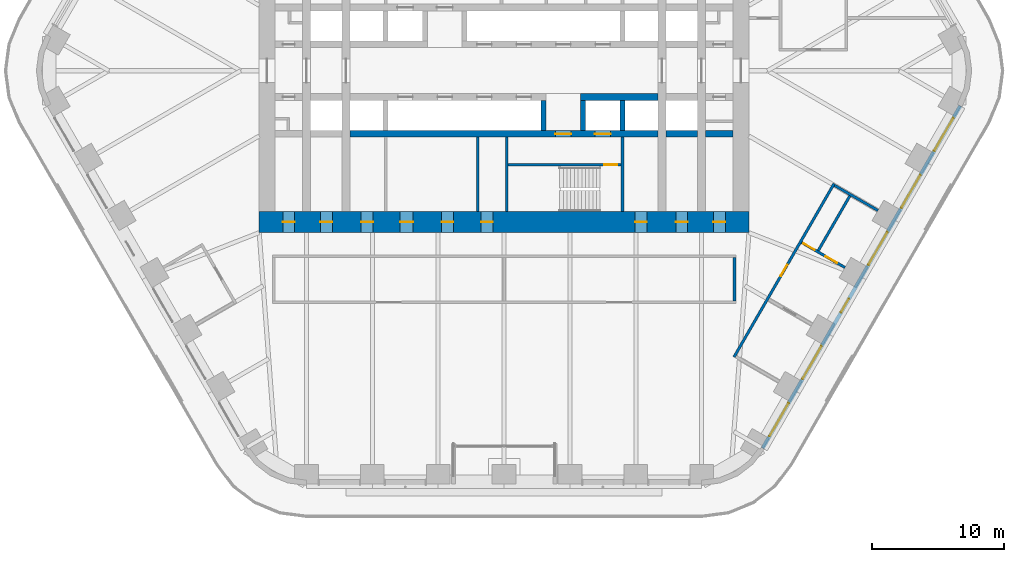
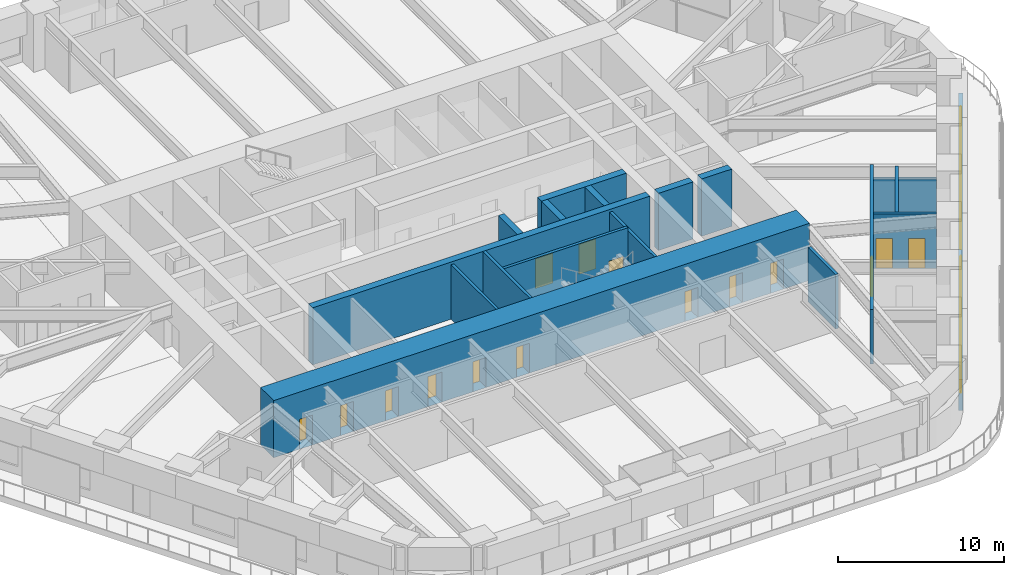
# One storey, part 18 of 24: 18 walls, 16 doors, 5 windows, 21 openings.
"""IFC4 building model written with IfcOpenShell, lengths in metres."""

from ifc_helpers import new_model, si_unit, direction, frame, frame_2d, origin, place, context, subcontext, project, spatial, rectangle, extrude, material, layer, layer_set, type_object, element, fill, save


model = new_model("IFC4")

# Units and contexts
model_context = context("Model", 3, precision=1e-05, world=origin(), true_north=direction((0.0, 1.0)))
body_context = subcontext(model_context, "Body", "Model", "MODEL_VIEW")
ifc_project = project(units=[si_unit("LENGTHUNIT", "METRE"), si_unit("AREAUNIT", "SQUARE_METRE"), si_unit("VOLUMEUNIT", "CUBIC_METRE"), si_unit("PLANEANGLEUNIT", "RADIAN"), si_unit("MASSUNIT", "GRAM", prefix="KILO")], contexts=[model_context])

# Site, building, storey
site_placement = place(None, origin())
site = spatial("IfcSite", under=ifc_project, at=site_placement, CompositionType="ELEMENT")
building_placement = place(site_placement, origin())
building = spatial("IfcBuilding", under=site, at=building_placement, Name="Tarfa Lantern Tower", CompositionType="ELEMENT")
storey_placement = place(building_placement, frame((0.0, 0.0, 123.699951171875)))
storey = spatial("IfcBuildingStorey", under=building, at=storey_placement, Name="L27", CompositionType="ELEMENT", Elevation=123.699951171875)

# Wall, openings, door, windows
ifc_material_1 = material(Name="Limestone cladding on blockwork", Category="masonry")
ifc_layer_1 = layer(ifc_material_1, 0.300048828125)
ifc_layer_set_1 = layer_set([ifc_layer_1], Name="EW1 STONE-CLAD WALL 300")
wall_type_1 = type_object("IfcWallType", Name="EW1 STONE-CLAD WALL 300", PredefinedType="SOLIDWALL", material=ifc_layer_set_1)
wall_1_placement = place(storey_placement, frame((19.644287109375, -28.675048828125, 0.0), z_axis=(0.0, 0.0, 1.0), x_axis=(0.500003084452, 0.866023622968, 0.0)))
wall_1 = element("IfcWall", 1, at=wall_1_placement, inside=storey, type_object=wall_type_1, Name="Stone wall SE", PredefinedType="SOLIDWALL", context=body_context, shape_type="SweptSolid", body=[
    extrude(rectangle(XDim=30.022216796875, YDim=0.300048828125, at=frame_2d((15.01123046875, 0.0))), origin(), (0.0, 0.0, 1.0), 2.300048828125),
])
opening_1_placement = place(wall_1_placement, frame((1.0517578125, 0.0, 0.60009765625)))
opening_1 = element("IfcOpeningElement", 2, at=opening_1_placement, cuts=wall_1, Name="Opening W8", PredefinedType="OPENING", context=body_context, shape_type="SweptSolid", body=[
    extrude(rectangle(XDim=2.89990234375, YDim=1.449951171875, at=frame_2d((1.449951171875, 0.72509765625))), frame((0.0, 0.159912109375, 0.0), z_axis=(0.0, -1.0, 0.0), x_axis=(1.0, 0.0, 0.0)), (0.0, 0.0, 1.0), 0.320068359375),
])
opening_2_placement = place(wall_1_placement, frame((6.0556640625, 0.0, 0.60009765625)))
opening_2 = element("IfcOpeningElement", 3, at=opening_2_placement, cuts=wall_1, Name="Opening W8", PredefinedType="OPENING", context=body_context, shape_type="SweptSolid", body=[
    extrude(rectangle(XDim=2.89990234375, YDim=1.449951171875, at=frame_2d((1.449951171875, 0.72509765625))), frame((0.0, 0.159912109375, 0.0), z_axis=(0.0, -1.0, 0.0), x_axis=(1.0, 0.0, 0.0)), (0.0, 0.0, 1.0), 0.320068359375),
])
opening_3_placement = place(wall_1_placement, frame((11.9091796875, 0.0, 0.0)))
opening_3 = element("IfcOpeningElement", 4, at=opening_3_placement, cuts=wall_1, Name="Opening D49", PredefinedType="OPENING", context=body_context, shape_type="SweptSolid", body=[
    extrude(rectangle(XDim=1.199951171875, YDim=2.199951171875, at=frame_2d((0.60009765625, 1.10009765625))), frame((0.0, 0.159912109375, 0.0), z_axis=(0.0, -1.0, 0.0), x_axis=(1.0, 0.0, 0.0)), (0.0, 0.0, 1.0), 0.320068359375),
])
opening_4_placement = place(wall_1_placement, frame((16.06298828125, 0.0, 0.60009765625)))
opening_4 = element("IfcOpeningElement", 5, at=opening_4_placement, cuts=wall_1, Name="Opening W8", PredefinedType="OPENING", context=body_context, shape_type="SweptSolid", body=[
    extrude(rectangle(XDim=2.89990234375, YDim=1.449951171875, at=frame_2d((1.449951171875, 0.72509765625))), frame((0.0, 0.159912109375, 0.0), z_axis=(0.0, -1.0, 0.0), x_axis=(1.0, 0.0, 0.0)), (0.0, 0.0, 1.0), 0.320068359375),
])
opening_5_placement = place(wall_1_placement, frame((21.066650390625, 0.0, 0.60009765625)))
opening_5 = element("IfcOpeningElement", 6, at=opening_5_placement, cuts=wall_1, Name="Opening W8", PredefinedType="OPENING", context=body_context, shape_type="SweptSolid", body=[
    extrude(rectangle(XDim=2.89990234375, YDim=1.449951171875, at=frame_2d((1.449951171875, 0.72509765625))), frame((0.0, 0.159912109375, 0.0), z_axis=(0.0, -1.0, 0.0), x_axis=(1.0, 0.0, 0.0)), (0.0, 0.0, 1.0), 0.320068359375),
])
opening_6_placement = place(wall_1_placement, frame((26.0703125, 0.0, 0.60009765625)))
opening_6 = element("IfcOpeningElement", 7, at=opening_6_placement, cuts=wall_1, Name="Opening W8", PredefinedType="OPENING", context=body_context, shape_type="SweptSolid", body=[
    extrude(rectangle(XDim=2.89990234375, YDim=1.449951171875, at=frame_2d((1.449951171875, 0.72509765625))), frame((0.0, 0.159912109375, 0.0), z_axis=(0.0, -1.0, 0.0), x_axis=(1.0, 0.0, 0.0)), (0.0, 0.0, 1.0), 0.320068359375),
])
ifc_material_2 = material(Name="Aluminium framed glazed door", Category="aluminium")
door_type_1 = type_object("IfcDoorType", Name="BE5 BALCONY DOOR 1200x2200", OperationType="SINGLE_SWING_RIGHT", PredefinedType="DOOR", material=ifc_material_2)
door_1_placement = place(opening_3_placement, origin())
door_1 = element("IfcDoor", 8, at=door_1_placement, inside=storey, type_object=door_type_1, Name="Balcony door SE", OperationType="SINGLE_SWING_RIGHT", OverallHeight=2.199951171875, OverallWidth=1.199951171875, PredefinedType="DOOR", context=body_context, shape_type="SweptSolid", body=[
    extrude(rectangle(XDim=1.199951171875, YDim=2.199951171875, at=frame_2d((0.60009765625, 1.10009765625))), frame((0.0, 0.02490234375, 0.0), z_axis=(0.0, -1.0, 0.0), x_axis=(1.0, 0.0, 0.0)), (0.0, 0.0, 1.0), 0.050048828125),
])
fill(opening_3, door_1)
ifc_material_3 = material(Name="Aluminium frame, double glazed", Category="aluminium")
window_type = type_object("IfcWindowType", Name="W8 FULL-HEIGHT GLAZING 2900x1450", PartitioningType="SINGLE_PANEL", PredefinedType="WINDOW", material=ifc_material_3)
window_1_placement = place(opening_1_placement, origin())
window_1 = element("IfcWindow", 9, at=window_1_placement, inside=storey, type_object=window_type, Name="Window SE 1", OverallHeight=1.449951171875, OverallWidth=2.89990234375, PartitioningType="SINGLE_PANEL", PredefinedType="WINDOW", context=body_context, shape_type="SweptSolid", body=[
    extrude(rectangle(XDim=2.89990234375, YDim=1.449951171875, at=frame_2d((1.449951171875, 0.72509765625))), frame((0.0, 0.030029296875, 0.0), z_axis=(0.0, -1.0, 0.0), x_axis=(1.0, 0.0, 0.0)), (0.0, 0.0, 1.0), 0.06005859375),
])
fill(opening_1, window_1)
window_2_placement = place(opening_2_placement, origin())
window_2 = element("IfcWindow", 10, at=window_2_placement, inside=storey, type_object=window_type, Name="Window SE 2", OverallHeight=1.449951171875, OverallWidth=2.89990234375, PartitioningType="SINGLE_PANEL", PredefinedType="WINDOW", context=body_context, shape_type="SweptSolid", body=[
    extrude(rectangle(XDim=2.89990234375, YDim=1.449951171875, at=frame_2d((1.449951171875, 0.72509765625))), frame((0.0, 0.030029296875, 0.0), z_axis=(0.0, -1.0, 0.0), x_axis=(1.0, 0.0, 0.0)), (0.0, 0.0, 1.0), 0.06005859375),
])
fill(opening_2, window_2)
window_3_placement = place(opening_4_placement, origin())
window_3 = element("IfcWindow", 11, at=window_3_placement, inside=storey, type_object=window_type, Name="Window SE 4", OverallHeight=1.449951171875, OverallWidth=2.89990234375, PartitioningType="SINGLE_PANEL", PredefinedType="WINDOW", context=body_context, shape_type="SweptSolid", body=[
    extrude(rectangle(XDim=2.89990234375, YDim=1.449951171875, at=frame_2d((1.449951171875, 0.72509765625))), frame((0.0, 0.030029296875, 0.0), z_axis=(0.0, -1.0, 0.0), x_axis=(1.0, 0.0, 0.0)), (0.0, 0.0, 1.0), 0.06005859375),
])
fill(opening_4, window_3)
window_4_placement = place(opening_5_placement, origin())
window_4 = element("IfcWindow", 12, at=window_4_placement, inside=storey, type_object=window_type, Name="Window SE 5", OverallHeight=1.449951171875, OverallWidth=2.89990234375, PartitioningType="SINGLE_PANEL", PredefinedType="WINDOW", context=body_context, shape_type="SweptSolid", body=[
    extrude(rectangle(XDim=2.89990234375, YDim=1.449951171875, at=frame_2d((1.449951171875, 0.72509765625))), frame((0.0, 0.030029296875, 0.0), z_axis=(0.0, -1.0, 0.0), x_axis=(1.0, 0.0, 0.0)), (0.0, 0.0, 1.0), 0.06005859375),
])
fill(opening_5, window_4)
window_5_placement = place(opening_6_placement, origin())
window_5 = element("IfcWindow", 13, at=window_5_placement, inside=storey, type_object=window_type, Name="Window SE 6", OverallHeight=1.449951171875, OverallWidth=2.89990234375, PartitioningType="SINGLE_PANEL", PredefinedType="WINDOW", context=body_context, shape_type="SweptSolid", body=[
    extrude(rectangle(XDim=2.89990234375, YDim=1.449951171875, at=frame_2d((1.449951171875, 0.72509765625))), frame((0.0, 0.030029296875, 0.0), z_axis=(0.0, -1.0, 0.0), x_axis=(1.0, 0.0, 0.0)), (0.0, 0.0, 1.0), 0.06005859375),
])
fill(opening_6, window_5)

# Walls
ifc_material_4 = material(Name="Concrete blockwork", Category="masonry")
ifc_layer_2 = layer(ifc_material_4, 0.199951171875)
ifc_layer_set_2 = layer_set([ifc_layer_2], Name="IW1 BLOCKWORK PARTITION 200 EI 120")
wall_type_2 = type_object("IfcWallType", Name="IW1 BLOCKWORK PARTITION 200 EI 120", PredefinedType="PARTITIONING", material=ifc_layer_set_2)
for number, where, z_axis, x_axis, name in (
    (14, (9.0, -5.050048828125, 0.0), (0.0, 0.0, 1.0), (0.0, -1.0, 0.0), "Core partition"),
    (15, (-2.0, -5.050048828125, 0.0), (0.0, 0.0, 1.0), (0.0, -1.0, 0.0), "Core partition"),
):
    element("IfcWall", number, at=place(storey_placement, frame(where, z_axis=z_axis, x_axis=x_axis)), inside=storey, type_object=wall_type_2, Name=name, PredefinedType="PARTITIONING", context=body_context, shape_type="SweptSolid", body=[
        extrude(rectangle(XDim=5.64990234375, YDim=0.199951171875, at=frame_2d((2.824951171875, 0.0))), origin(), (0.0, 0.0, 1.0), 4.0),
    ])
ifc_material_5 = material(Name="Gypsum board on steel studs", Category="steel")
ifc_layer_3 = layer(ifc_material_5, 0.2099609375)
ifc_layer_set_3 = layer_set([ifc_layer_3], Name="IW2 ACOUSTIC PARTITION 200")
wall_type_3 = type_object("IfcWallType", Name="IW2 ACOUSTIC PARTITION 200", PredefinedType="PARTITIONING", material=ifc_layer_set_3)
wall_2_placement = place(storey_placement, frame((17.5, -14.199951171875, 0.0), z_axis=(0.0, 0.0, 1.0), x_axis=(0.0, -1.0, 0.0)))
element("IfcWall", 16, at=wall_2_placement, inside=storey, type_object=wall_type_3, Name="Partition", PredefinedType="PARTITIONING", context=body_context, shape_type="SweptSolid", body=[
    extrude(rectangle(XDim=3.300048828125, YDim=0.199951171875, at=frame_2d((1.64990234375, 0.0))), origin(), (0.0, 0.0, 1.0), 4.0),
])

# Wall, opening, door
wall_3_placement = place(storey_placement, frame((17.462890625, -21.753173828125, 0.0), z_axis=(0.0, 0.0, 1.0), x_axis=(0.500010972563, 0.86601906868, 0.0)))
wall_3 = element("IfcWall", 17, at=wall_3_placement, inside=storey, type_object=wall_type_3, Name="Partition", PredefinedType="PARTITIONING", context=body_context, shape_type="SweptSolid", body=[
    extrude(rectangle(XDim=15.211181640625, YDim=0.199951171875, at=frame_2d((7.60546875, 0.0))), origin(), (0.0, 0.0, 1.0), 4.0),
])
opening_7_placement = place(wall_3_placement, frame((7.10546875, 0.0, 0.0)))
opening_7 = element("IfcOpeningElement", 18, at=opening_7_placement, cuts=wall_3, Name="Opening D38", PredefinedType="OPENING", context=body_context, shape_type="SweptSolid", body=[
    extrude(rectangle(XDim=1.0, YDim=2.199951171875, at=frame_2d((0.5, 1.10009765625))), frame((0.0, 0.10986328125, 0.0), z_axis=(0.0, -1.0, 0.0), x_axis=(1.0, 0.0, 0.0)), (0.0, 0.0, 1.0), 0.219970703125),
])
ifc_material_6 = material(Name="Timber door", Category="wood")
door_type_2 = type_object("IfcDoorType", Name="DR1 ROOM DOOR 1000x2200", OperationType="SINGLE_SWING_LEFT", PredefinedType="DOOR", material=ifc_material_6)
door_2_placement = place(opening_7_placement, frame((1.0, 0.0, 0.0), z_axis=(0.0, 0.0, 1.0), x_axis=(-1.0, 0.0, 0.0)))
door_2 = element("IfcDoor", 19, at=door_2_placement, inside=storey, type_object=door_type_2, Name="Finance reception door", OperationType="SINGLE_SWING_LEFT", OverallHeight=2.199951171875, OverallWidth=1.0, PredefinedType="DOOR", context=body_context, shape_type="SweptSolid", body=[
    extrude(rectangle(XDim=1.0, YDim=2.199951171875, at=frame_2d((0.5, 1.10009765625))), frame((0.0, 0.02490234375, 0.0), z_axis=(0.0, -1.0, 0.0), x_axis=(1.0, 0.0, 0.0)), (0.0, 0.0, 1.0), 0.050048828125),
])
fill(opening_7, door_2)

# Wall, openings, doors
wall_4_placement = place(storey_placement, frame((22.603271484375, -13.050048828125, 0.0), z_axis=(0.0, 0.0, 1.0), x_axis=(0.866028304915, -0.499994975061, 0.0)))
wall_4 = element("IfcWall", 20, at=wall_4_placement, inside=storey, type_object=wall_type_3, Name="Partition", PredefinedType="PARTITIONING", context=body_context, shape_type="SweptSolid", body=[
    extrude(rectangle(XDim=3.7998046875, YDim=0.199951171875, at=frame_2d((1.89990234375, 0.0))), origin(), (0.0, 0.0, 1.0), 4.0),
])
opening_8_placement = place(wall_4_placement, frame((0.14990234375, 0.0, 0.0)))
opening_8 = element("IfcOpeningElement", 21, at=opening_8_placement, cuts=wall_4, Name="Opening D39", PredefinedType="OPENING", context=body_context, shape_type="SweptSolid", body=[
    extrude(rectangle(XDim=1.0, YDim=2.199951171875, at=frame_2d((0.5, 1.10009765625))), frame((0.0, 0.10986328125, 0.0), z_axis=(0.0, -1.0, 0.0), x_axis=(1.0, 0.0, 0.0)), (0.0, 0.0, 1.0), 0.219970703125),
])
opening_9_placement = place(wall_4_placement, frame((2.10009765625, 0.0, 0.0)))
opening_9 = element("IfcOpeningElement", 22, at=opening_9_placement, cuts=wall_4, Name="Opening D40", PredefinedType="OPENING", context=body_context, shape_type="SweptSolid", body=[
    extrude(rectangle(XDim=1.0, YDim=2.199951171875, at=frame_2d((0.5, 1.10009765625))), frame((0.0, 0.10986328125, 0.0), z_axis=(0.0, -1.0, 0.0), x_axis=(1.0, 0.0, 0.0)), (0.0, 0.0, 1.0), 0.219970703125),
])
door_3_placement = place(opening_8_placement, origin())
door_3 = element("IfcDoor", 23, at=door_3_placement, inside=storey, type_object=door_type_2, Name="Finance meeting room door", OperationType="SINGLE_SWING_RIGHT", OverallHeight=2.199951171875, OverallWidth=1.0, PredefinedType="DOOR", context=body_context, shape_type="SweptSolid", body=[
    extrude(rectangle(XDim=1.0, YDim=2.199951171875, at=frame_2d((0.5, 1.10009765625))), frame((0.0, 0.02490234375, 0.0), z_axis=(0.0, -1.0, 0.0), x_axis=(1.0, 0.0, 0.0)), (0.0, 0.0, 1.0), 0.050048828125),
])
fill(opening_8, door_3)
door_4_placement = place(opening_9_placement, origin())
door_4 = element("IfcDoor", 24, at=door_4_placement, inside=storey, type_object=door_type_2, Name="Finance office door", OperationType="SINGLE_SWING_RIGHT", OverallHeight=2.199951171875, OverallWidth=1.0, PredefinedType="DOOR", context=body_context, shape_type="SweptSolid", body=[
    extrude(rectangle(XDim=1.0, YDim=2.199951171875, at=frame_2d((0.5, 1.10009765625))), frame((0.0, 0.02490234375, 0.0), z_axis=(0.0, -1.0, 0.0), x_axis=(1.0, 0.0, 0.0)), (0.0, 0.0, 1.0), 0.050048828125),
])
fill(opening_9, door_4)

# Walls
wall_5_placement = place(storey_placement, frame((25.105224609375, -8.716552734375, 0.0), z_axis=(0.0, 0.0, 1.0), x_axis=(0.866000483506, -0.500043160704, 0.0)))
element("IfcWall", 25, at=wall_5_placement, inside=storey, type_object=wall_type_3, Name="Partition", PredefinedType="PARTITIONING", context=body_context, shape_type="SweptSolid", body=[
    extrude(rectangle(XDim=3.800048828125, YDim=0.199951171875, at=frame_2d((1.89990234375, 0.0))), origin(), (0.0, 0.0, 1.0), 3.08154296875),
])
wall_6_placement = place(storey_placement, frame((23.86572265625, -13.663330078125, 0.0), z_axis=(0.0, 0.0, 1.0), x_axis=(0.499998147991, 0.86602647304, 0.0)))
element("IfcWall", 26, at=wall_6_placement, inside=storey, type_object=wall_type_3, Name="Partition", PredefinedType="PARTITIONING", context=body_context, shape_type="SweptSolid", body=[
    extrude(rectangle(XDim=4.8037109375, YDim=0.199951171875, at=frame_2d((2.40185546875, 0.0))), origin(), (0.0, 0.0, 1.0), 4.0),
])
ifc_material_7 = material(Name="Concrete C80/95", Category="concrete")
ifc_layer_4 = layer(ifc_material_7, 0.199951171875)
ifc_layer_set_4 = layer_set([ifc_layer_4], Name="SW12 CORE WALL 200")
wall_type_4 = type_object("IfcWallType", Name="SW12 CORE WALL 200", PredefinedType="SHEAR", material=ifc_layer_set_4)
wall_7_placement = place(storey_placement, frame((0.199951171875, -5.050048828125, 0.0), z_axis=(0.0, 0.0, 1.0), x_axis=(0.0, -1.0, 0.0)))
element("IfcWall", 27, at=wall_7_placement, inside=storey, type_object=wall_type_4, Name="Core wall stair shaft S", PredefinedType="SHEAR", context=body_context, shape_type="SweptSolid", body=[
    extrude(rectangle(XDim=5.64990234375, YDim=0.199951171875, at=frame_2d((2.824951171875, 0.0))), origin(), (0.0, 0.0, 1.0), 4.199951171875),
])

# Wall, opening, door
wall_8_placement = place(storey_placement, frame((8.89990234375, -7.14990234375, 0.0), z_axis=(0.0, 0.0, 1.0), x_axis=(-1.0, 0.0, 0.0)))
wall_8 = element("IfcWall", 28, at=wall_8_placement, inside=storey, type_object=wall_type_4, Name="Core wall stair partition S", PredefinedType="SHEAR", context=body_context, shape_type="SweptSolid", body=[
    extrude(rectangle(XDim=8.599853515625, YDim=0.199951171875, at=frame_2d((4.2998046875, 0.0))), origin(), (0.0, 0.0, 1.0), 4.199951171875),
])
opening_10_placement = place(wall_8_placement, frame((0.300048828125, 0.0, 0.0)))
opening_10 = element("IfcOpeningElement", 29, at=opening_10_placement, cuts=wall_8, Name="Opening D28", PredefinedType="OPENING", context=body_context, shape_type="SweptSolid", body=[
    extrude(rectangle(XDim=1.0, YDim=2.199951171875, at=frame_2d((0.5, 1.10009765625))), frame((0.0, 0.10986328125, 0.0), z_axis=(0.0, -1.0, 0.0), x_axis=(1.0, 0.0, 0.0)), (0.0, 0.0, 1.0), 0.219970703125),
])
ifc_material_8 = material(Name="Steel fire door", Category="steel")
door_type_3 = type_object("IfcDoorType", Name="DF2 STAIR DOOR 1000x2200", OperationType="SINGLE_SWING_LEFT", PredefinedType="DOOR", material=ifc_material_8)
door_5_placement = place(opening_10_placement, origin())
door_5 = element("IfcDoor", 30, at=door_5_placement, inside=storey, type_object=door_type_3, Name="Stair door", OperationType="SINGLE_SWING_RIGHT", OverallHeight=2.199951171875, OverallWidth=1.0, PredefinedType="DOOR", context=body_context, shape_type="SweptSolid", body=[
    extrude(rectangle(XDim=1.0, YDim=2.199951171875, at=frame_2d((0.5, 1.10009765625))), frame((0.0, 0.02490234375, 0.0), z_axis=(0.0, -1.0, 0.0), x_axis=(1.0, 0.0, 0.0)), (0.0, 0.0, 1.0), 0.050048828125),
])
fill(opening_10, door_5)

# Walls
ifc_layer_5 = layer(ifc_material_7, 0.5)
ifc_layer_set_5 = layer_set([ifc_layer_5], Name="SW5 CORE WALL 500")
wall_type_5 = type_object("IfcWallType", Name="SW5 CORE WALL 500", PredefinedType="SHEAR", material=ifc_layer_set_5)
wall_9_placement = place(storey_placement, frame((11.699951171875, -2.0, 0.0), z_axis=(0.0, 0.0, 1.0), x_axis=(-1.0, 0.0, 0.0)))
element("IfcWall", 31, at=wall_9_placement, inside=storey, type_object=wall_type_5, Name="Core wall lobby west S", PredefinedType="SHEAR", context=body_context, shape_type="SweptSolid", body=[
    extrude(rectangle(XDim=5.89990234375, YDim=0.5, at=frame_2d((2.949951171875, 0.0))), origin(), (0.0, 0.0, 1.0), 4.199951171875),
])
wall_10_placement = place(storey_placement, frame((17.39990234375, -4.800048828125, 0.0), z_axis=(0.0, 0.0, 1.0), x_axis=(-1.0, 0.0, 0.0)))
element("IfcWall", 32, at=wall_10_placement, inside=storey, type_object=wall_type_5, Name="Core wall rear S", PredefinedType="SHEAR", context=body_context, shape_type="SweptSolid", body=[
    extrude(rectangle(XDim=2.099853515625, YDim=0.5, at=frame_2d((1.0498046875, 0.0))), origin(), (0.0, 0.0, 1.0), 4.199951171875),
])
wall_11_placement = place(storey_placement, frame((14.699951171875, -4.800048828125, 0.0), z_axis=(0.0, 0.0, 1.0), x_axis=(-1.0, 0.0, 0.0)))
element("IfcWall", 33, at=wall_11_placement, inside=storey, type_object=wall_type_5, Name="Core wall rear S", PredefinedType="SHEAR", context=body_context, shape_type="SweptSolid", body=[
    extrude(rectangle(XDim=2.39990234375, YDim=0.5, at=frame_2d((1.199951171875, 0.0))), origin(), (0.0, 0.0, 1.0), 4.199951171875),
])

# Wall, openings, doors
wall_12_placement = place(storey_placement, frame((11.699951171875, -4.800048828125, 0.0), z_axis=(0.0, 0.0, 1.0), x_axis=(-1.0, 0.0, 0.0)))
wall_12 = element("IfcWall", 34, at=wall_12_placement, inside=storey, type_object=wall_type_5, Name="Core wall rear S", PredefinedType="SHEAR", context=body_context, shape_type="SweptSolid", body=[
    extrude(rectangle(XDim=23.39990234375, YDim=0.5, at=frame_2d((11.699951171875, 0.0))), origin(), (0.0, 0.0, 1.0), 4.199951171875),
])
opening_11_placement = place(wall_12_placement, frame((6.60009765625, 0.0, 0.0)))
opening_11 = element("IfcOpeningElement", 35, at=opening_11_placement, cuts=wall_12, Name="Opening D14", PredefinedType="OPENING", context=body_context, shape_type="SweptSolid", body=[
    extrude(rectangle(XDim=1.199951171875, YDim=2.199951171875, at=frame_2d((0.60009765625, 1.10009765625))), frame((0.0, 0.260009765625, 0.0), z_axis=(0.0, -1.0, 0.0), x_axis=(1.0, 0.0, 0.0)), (0.0, 0.0, 1.0), 0.52001953125),
])
opening_12_placement = place(wall_12_placement, frame((3.60009765625, 0.0, 0.0)))
opening_12 = element("IfcOpeningElement", 36, at=opening_12_placement, cuts=wall_12, Name="Opening LD02", PredefinedType="OPENING", context=body_context, shape_type="SweptSolid", body=[
    extrude(rectangle(XDim=1.199951171875, YDim=2.199951171875, at=frame_2d((0.60009765625, 1.10009765625))), frame((0.0, 0.260009765625, 0.0), z_axis=(0.0, -1.0, 0.0), x_axis=(1.0, 0.0, 0.0)), (0.0, 0.0, 1.0), 0.52001953125),
])
door_type_4 = type_object("IfcDoorType", Name="DF1 FIREFIGHTING LOBBY DOOR 1200x2200", OperationType="SINGLE_SWING_LEFT", PredefinedType="DOOR", material=ifc_material_8)
door_6_placement = place(opening_11_placement, origin())
door_6 = element("IfcDoor", 37, at=door_6_placement, inside=storey, type_object=door_type_4, Name="Firefighting lobby door", OperationType="SINGLE_SWING_LEFT", OverallHeight=2.199951171875, OverallWidth=1.199951171875, PredefinedType="DOOR", context=body_context, shape_type="SweptSolid", body=[
    extrude(rectangle(XDim=1.199951171875, YDim=2.199951171875, at=frame_2d((0.60009765625, 1.10009765625))), frame((0.0, 0.02490234375, 0.0), z_axis=(0.0, -1.0, 0.0), x_axis=(1.0, 0.0, 0.0)), (0.0, 0.0, 1.0), 0.050048828125),
])
fill(opening_11, door_6)
ifc_material_9 = material(Name="Stainless steel lift door", Category="steel")
door_type_5 = type_object("IfcDoorType", Name="LD1 LIFT LANDING DOOR 1200x2200", OperationType="SLIDING_TO_LEFT", PredefinedType="DOOR", material=ifc_material_9)
door_7_placement = place(opening_12_placement, origin())
door_7 = element("IfcDoor", 38, at=door_7_placement, inside=storey, type_object=door_type_5, Name="Landing door FL2", OperationType="SLIDING_TO_LEFT", OverallHeight=2.199951171875, OverallWidth=1.199951171875, PredefinedType="DOOR", context=body_context, shape_type="SweptSolid", body=[
    extrude(rectangle(XDim=1.199951171875, YDim=2.199951171875, at=frame_2d((0.60009765625, 1.10009765625))), frame((0.0, 0.02490234375, 0.0), z_axis=(0.0, -1.0, 0.0), x_axis=(1.0, 0.0, 0.0)), (0.0, 0.0, 1.0), 0.050048828125),
])
fill(opening_12, door_7)

# Walls
ifc_layer_6 = layer(ifc_material_7, 0.39990234375)
ifc_layer_set_6 = layer_set([ifc_layer_6], Name="SW6 CORE WALL 400")
wall_type_6 = type_object("IfcWallType", Name="SW6 CORE WALL 400", PredefinedType="SHEAR", material=ifc_layer_set_6)
for number, where, z_axis, x_axis, name in (
    (39, (9.0, -2.25, 0.0), (0.0, 0.0, 1.0), (0.0, -1.0, 0.0), "Core wall divider S"),
    (40, (6.0, -2.25, 0.0), (0.0, 0.0, 1.0), (0.0, -1.0, 0.0), "Core wall divider S"),
    (41, (3.0, -2.25, 0.0), (0.0, 0.0, 1.0), (0.0, -1.0, 0.0), "Core wall divider S"),
):
    element("IfcWall", number, at=place(storey_placement, frame(where, z_axis=z_axis, x_axis=x_axis)), inside=storey, type_object=wall_type_6, Name=name, PredefinedType="SHEAR", context=body_context, shape_type="SweptSolid", body=[
        extrude(rectangle(XDim=2.300048828125, YDim=0.39990234375, at=frame_2d((1.14990234375, 0.0))), origin(), (0.0, 0.0, 1.0), 4.199951171875),
    ])

# Wall, openings, doors
ifc_layer_7 = layer(ifc_material_7, 1.60009765625)
ifc_layer_set_7 = layer_set([ifc_layer_7], Name="SW7 CORE WALL 1600")
wall_type_7 = type_object("IfcWallType", Name="SW7 CORE WALL 1600", PredefinedType="SHEAR", material=ifc_layer_set_7)
wall_13_placement = place(storey_placement, frame((18.60009765625, -11.5, 0.0), z_axis=(0.0, 0.0, 1.0), x_axis=(-1.0, 0.0, 0.0)))
wall_13 = element("IfcWall", 42, at=wall_13_placement, inside=storey, type_object=wall_type_7, Name="Core wall S", PredefinedType="SHEAR", context=body_context, shape_type="SweptSolid", body=[
    extrude(rectangle(XDim=37.2001953125, YDim=1.60009765625, at=frame_2d((18.60009765625, 0.0))), origin(), (0.0, 0.0, 1.0), 4.199951171875),
])
opening_13_placement = place(wall_13_placement, frame((19.449951171875, 0.0, 0.0)))
opening_13 = element("IfcOpeningElement", 43, at=opening_13_placement, cuts=wall_13, Name="Opening D22", PredefinedType="OPENING", context=body_context, shape_type="SweptSolid", body=[
    extrude(rectangle(XDim=0.89990234375, YDim=2.199951171875, at=frame_2d((0.449951171875, 1.10009765625))), frame((0.0, 0.81005859375, 0.0), z_axis=(0.0, -1.0, 0.0), x_axis=(1.0, 0.0, 0.0)), (0.0, 0.0, 1.0), 1.6201171875),
])
opening_14_placement = place(wall_13_placement, frame((22.449951171875, 0.0, 0.0)))
opening_14 = element("IfcOpeningElement", 44, at=opening_14_placement, cuts=wall_13, Name="Opening D24", PredefinedType="OPENING", context=body_context, shape_type="SweptSolid", body=[
    extrude(rectangle(XDim=0.89990234375, YDim=2.199951171875, at=frame_2d((0.449951171875, 1.10009765625))), frame((0.0, 0.81005859375, 0.0), z_axis=(0.0, -1.0, 0.0), x_axis=(1.0, 0.0, 0.0)), (0.0, 0.0, 1.0), 1.6201171875),
])
opening_15_placement = place(wall_13_placement, frame((25.5, 0.0, 0.0)))
opening_15 = element("IfcOpeningElement", 45, at=opening_15_placement, cuts=wall_13, Name="Opening D26", PredefinedType="OPENING", context=body_context, shape_type="SweptSolid", body=[
    extrude(rectangle(XDim=1.0, YDim=2.199951171875, at=frame_2d((0.5, 1.10009765625))), frame((0.0, 0.81005859375, 0.0), z_axis=(0.0, -1.0, 0.0), x_axis=(1.0, 0.0, 0.0)), (0.0, 0.0, 1.0), 1.6201171875),
])
opening_16_placement = place(wall_13_placement, frame((1.800048828125, 0.0, 0.0)))
opening_16 = element("IfcOpeningElement", 46, at=opening_16_placement, cuts=wall_13, Name="Opening D12", PredefinedType="OPENING", context=body_context, shape_type="SweptSolid", body=[
    extrude(rectangle(XDim=0.89990234375, YDim=2.199951171875, at=frame_2d((0.449951171875, 1.10009765625))), frame((0.0, 0.81005859375, 0.0), z_axis=(0.0, -1.0, 0.0), x_axis=(1.0, 0.0, 0.0)), (0.0, 0.0, 1.0), 1.6201171875),
])
opening_17_placement = place(wall_13_placement, frame((4.64990234375, 0.0, 0.0)))
opening_17 = element("IfcOpeningElement", 47, at=opening_17_placement, cuts=wall_13, Name="Opening D08", PredefinedType="OPENING", context=body_context, shape_type="SweptSolid", body=[
    extrude(rectangle(XDim=0.89990234375, YDim=2.199951171875, at=frame_2d((0.449951171875, 1.10009765625))), frame((0.0, 0.81005859375, 0.0), z_axis=(0.0, -1.0, 0.0), x_axis=(1.0, 0.0, 0.0)), (0.0, 0.0, 1.0), 1.6201171875),
])
opening_18_placement = place(wall_13_placement, frame((7.75, 0.0, 0.0)))
opening_18 = element("IfcOpeningElement", 48, at=opening_18_placement, cuts=wall_13, Name="Opening D10", PredefinedType="OPENING", context=body_context, shape_type="SweptSolid", body=[
    extrude(rectangle(XDim=0.89990234375, YDim=2.199951171875, at=frame_2d((0.449951171875, 1.10009765625))), frame((0.0, 0.81005859375, 0.0), z_axis=(0.0, -1.0, 0.0), x_axis=(1.0, 0.0, 0.0)), (0.0, 0.0, 1.0), 1.6201171875),
])
opening_19_placement = place(wall_13_placement, frame((28.550048828125, 0.0, 0.0)))
opening_19 = element("IfcOpeningElement", 49, at=opening_19_placement, cuts=wall_13, Name="Opening D06", PredefinedType="OPENING", context=body_context, shape_type="SweptSolid", body=[
    extrude(rectangle(XDim=0.89990234375, YDim=2.199951171875, at=frame_2d((0.449951171875, 1.10009765625))), frame((0.0, 0.81005859375, 0.0), z_axis=(0.0, -1.0, 0.0), x_axis=(1.0, 0.0, 0.0)), (0.0, 0.0, 1.0), 1.6201171875),
])
opening_20_placement = place(wall_13_placement, frame((31.64990234375, 0.0, 0.0)))
opening_20 = element("IfcOpeningElement", 50, at=opening_20_placement, cuts=wall_13, Name="Opening D02", PredefinedType="OPENING", context=body_context, shape_type="SweptSolid", body=[
    extrude(rectangle(XDim=0.89990234375, YDim=2.199951171875, at=frame_2d((0.449951171875, 1.10009765625))), frame((0.0, 0.81005859375, 0.0), z_axis=(0.0, -1.0, 0.0), x_axis=(1.0, 0.0, 0.0)), (0.0, 0.0, 1.0), 1.6201171875),
])
opening_21_placement = place(wall_13_placement, frame((34.5, 0.0, 0.0)))
opening_21 = element("IfcOpeningElement", 51, at=opening_21_placement, cuts=wall_13, Name="Opening D04", PredefinedType="OPENING", context=body_context, shape_type="SweptSolid", body=[
    extrude(rectangle(XDim=0.89990234375, YDim=2.199951171875, at=frame_2d((0.449951171875, 1.10009765625))), frame((0.0, 0.81005859375, 0.0), z_axis=(0.0, -1.0, 0.0), x_axis=(1.0, 0.0, 0.0)), (0.0, 0.0, 1.0), 1.6201171875),
])
door_type_6 = type_object("IfcDoorType", Name="DF3 CORE ROOM DOOR 900x2200", OperationType="SINGLE_SWING_LEFT", PredefinedType="DOOR", material=ifc_material_8)
door_8_placement = place(opening_13_placement, frame((0.89990234375, 0.0, 0.0), z_axis=(0.0, 0.0, 1.0), x_axis=(-1.0, 0.0, 0.0)))
door_8 = element("IfcDoor", 52, at=door_8_placement, inside=storey, type_object=door_type_6, Name="Core door", OperationType="SINGLE_SWING_RIGHT", OverallHeight=2.199951171875, OverallWidth=0.89990234375, PredefinedType="DOOR", context=body_context, shape_type="SweptSolid", body=[
    extrude(rectangle(XDim=0.89990234375, YDim=2.199951171875, at=frame_2d((0.449951171875, 1.10009765625))), frame((0.0, 0.02490234375, 0.0), z_axis=(0.0, -1.0, 0.0), x_axis=(1.0, 0.0, 0.0)), (0.0, 0.0, 1.0), 0.050048828125),
])
fill(opening_13, door_8)
door_9_placement = place(opening_14_placement, frame((0.89990234375, 0.0, 0.0), z_axis=(0.0, 0.0, 1.0), x_axis=(-1.0, 0.0, 0.0)))
door_9 = element("IfcDoor", 53, at=door_9_placement, inside=storey, type_object=door_type_6, Name="Core door", OperationType="SINGLE_SWING_LEFT", OverallHeight=2.199951171875, OverallWidth=0.89990234375, PredefinedType="DOOR", context=body_context, shape_type="SweptSolid", body=[
    extrude(rectangle(XDim=0.89990234375, YDim=2.199951171875, at=frame_2d((0.449951171875, 1.10009765625))), frame((0.0, 0.02490234375, 0.0), z_axis=(0.0, -1.0, 0.0), x_axis=(1.0, 0.0, 0.0)), (0.0, 0.0, 1.0), 0.050048828125),
])
fill(opening_14, door_9)
door_type_7 = type_object("IfcDoorType", Name="DF4 CORE ROOM DOOR 1000x2200", OperationType="SINGLE_SWING_LEFT", PredefinedType="DOOR", material=ifc_material_8)
door_10_placement = place(opening_15_placement, frame((1.0, 0.0, 0.0), z_axis=(0.0, 0.0, 1.0), x_axis=(-1.0, 0.0, 0.0)))
door_10 = element("IfcDoor", 54, at=door_10_placement, inside=storey, type_object=door_type_7, Name="Core door", OperationType="SINGLE_SWING_RIGHT", OverallHeight=2.199951171875, OverallWidth=1.0, PredefinedType="DOOR", context=body_context, shape_type="SweptSolid", body=[
    extrude(rectangle(XDim=1.0, YDim=2.199951171875, at=frame_2d((0.5, 1.10009765625))), frame((0.0, 0.02490234375, 0.0), z_axis=(0.0, -1.0, 0.0), x_axis=(1.0, 0.0, 0.0)), (0.0, 0.0, 1.0), 0.050048828125),
])
fill(opening_15, door_10)
door_type_8 = type_object("IfcDoorType", Name="DF5 RISER DOOR 900x2200", OperationType="SINGLE_SWING_LEFT", PredefinedType="DOOR", material=ifc_material_8)
door_11_placement = place(opening_16_placement, frame((0.89990234375, 0.0, 0.0), z_axis=(0.0, 0.0, 1.0), x_axis=(-1.0, 0.0, 0.0)))
door_11 = element("IfcDoor", 55, at=door_11_placement, inside=storey, type_object=door_type_8, Name="Riser door", OperationType="SINGLE_SWING_LEFT", OverallHeight=2.199951171875, OverallWidth=0.89990234375, PredefinedType="DOOR", context=body_context, shape_type="SweptSolid", body=[
    extrude(rectangle(XDim=0.89990234375, YDim=2.199951171875, at=frame_2d((0.449951171875, 1.10009765625))), frame((0.0, 0.02490234375, 0.0), z_axis=(0.0, -1.0, 0.0), x_axis=(1.0, 0.0, 0.0)), (0.0, 0.0, 1.0), 0.050048828125),
])
fill(opening_16, door_11)
door_12_placement = place(opening_17_placement, frame((0.89990234375, 0.0, 0.0), z_axis=(0.0, 0.0, 1.0), x_axis=(-1.0, 0.0, 0.0)))
door_12 = element("IfcDoor", 56, at=door_12_placement, inside=storey, type_object=door_type_8, Name="Riser door", OperationType="SINGLE_SWING_LEFT", OverallHeight=2.199951171875, OverallWidth=0.89990234375, PredefinedType="DOOR", context=body_context, shape_type="SweptSolid", body=[
    extrude(rectangle(XDim=0.89990234375, YDim=2.199951171875, at=frame_2d((0.449951171875, 1.10009765625))), frame((0.0, 0.02490234375, 0.0), z_axis=(0.0, -1.0, 0.0), x_axis=(1.0, 0.0, 0.0)), (0.0, 0.0, 1.0), 0.050048828125),
])
fill(opening_17, door_12)
door_13_placement = place(opening_18_placement, frame((0.89990234375, 0.0, 0.0), z_axis=(0.0, 0.0, 1.0), x_axis=(-1.0, 0.0, 0.0)))
door_13 = element("IfcDoor", 57, at=door_13_placement, inside=storey, type_object=door_type_8, Name="Riser door", OperationType="SINGLE_SWING_LEFT", OverallHeight=2.199951171875, OverallWidth=0.89990234375, PredefinedType="DOOR", context=body_context, shape_type="SweptSolid", body=[
    extrude(rectangle(XDim=0.89990234375, YDim=2.199951171875, at=frame_2d((0.449951171875, 1.10009765625))), frame((0.0, 0.02490234375, 0.0), z_axis=(0.0, -1.0, 0.0), x_axis=(1.0, 0.0, 0.0)), (0.0, 0.0, 1.0), 0.050048828125),
])
fill(opening_18, door_13)
door_14_placement = place(opening_19_placement, frame((0.89990234375, 0.0, 0.0), z_axis=(0.0, 0.0, 1.0), x_axis=(-1.0, 0.0, 0.0)))
door_14 = element("IfcDoor", 58, at=door_14_placement, inside=storey, type_object=door_type_8, Name="Riser door", OperationType="SINGLE_SWING_RIGHT", OverallHeight=2.199951171875, OverallWidth=0.89990234375, PredefinedType="DOOR", context=body_context, shape_type="SweptSolid", body=[
    extrude(rectangle(XDim=0.89990234375, YDim=2.199951171875, at=frame_2d((0.449951171875, 1.10009765625))), frame((0.0, 0.02490234375, 0.0), z_axis=(0.0, -1.0, 0.0), x_axis=(1.0, 0.0, 0.0)), (0.0, 0.0, 1.0), 0.050048828125),
])
fill(opening_19, door_14)
door_15_placement = place(opening_20_placement, frame((0.89990234375, 0.0, 0.0), z_axis=(0.0, 0.0, 1.0), x_axis=(-1.0, 0.0, 0.0)))
door_15 = element("IfcDoor", 59, at=door_15_placement, inside=storey, type_object=door_type_8, Name="Riser door", OperationType="SINGLE_SWING_RIGHT", OverallHeight=2.199951171875, OverallWidth=0.89990234375, PredefinedType="DOOR", context=body_context, shape_type="SweptSolid", body=[
    extrude(rectangle(XDim=0.89990234375, YDim=2.199951171875, at=frame_2d((0.449951171875, 1.10009765625))), frame((0.0, 0.02490234375, 0.0), z_axis=(0.0, -1.0, 0.0), x_axis=(1.0, 0.0, 0.0)), (0.0, 0.0, 1.0), 0.050048828125),
])
fill(opening_20, door_15)
door_16_placement = place(opening_21_placement, frame((0.89990234375, 0.0, 0.0), z_axis=(0.0, 0.0, 1.0), x_axis=(-1.0, 0.0, 0.0)))
door_16 = element("IfcDoor", 60, at=door_16_placement, inside=storey, type_object=door_type_8, Name="Riser door", OperationType="SINGLE_SWING_RIGHT", OverallHeight=2.199951171875, OverallWidth=0.89990234375, PredefinedType="DOOR", context=body_context, shape_type="SweptSolid", body=[
    extrude(rectangle(XDim=0.89990234375, YDim=2.199951171875, at=frame_2d((0.449951171875, 1.10009765625))), frame((0.0, 0.02490234375, 0.0), z_axis=(0.0, -1.0, 0.0), x_axis=(1.0, 0.0, 0.0)), (0.0, 0.0, 1.0), 0.050048828125),
])
fill(opening_21, door_16)

save(model, "model.ifc")
